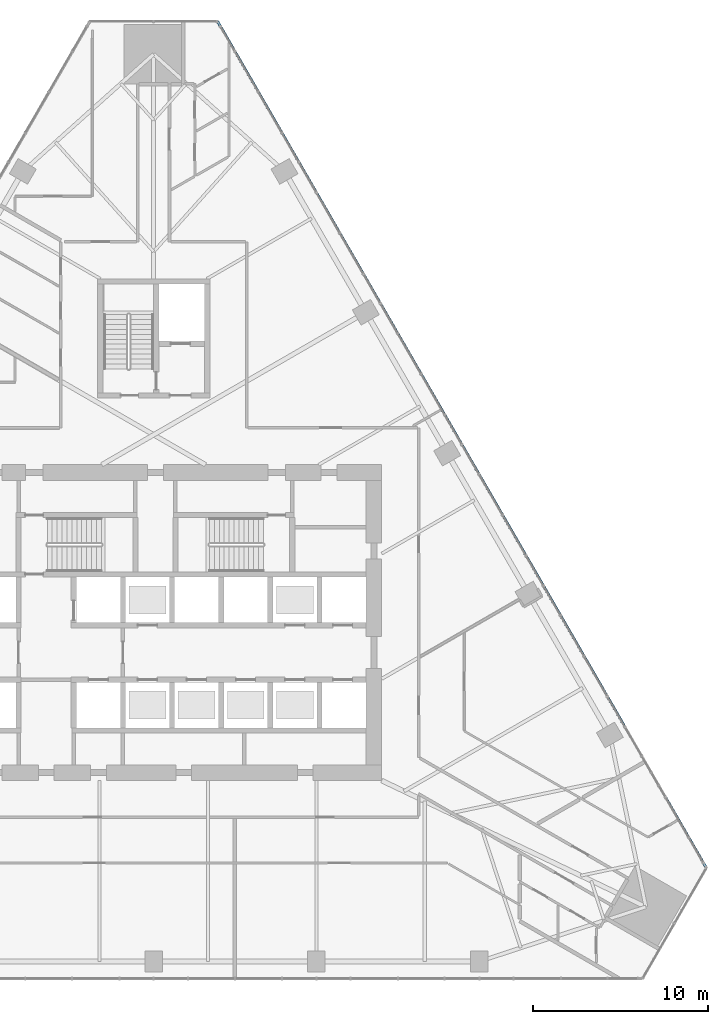
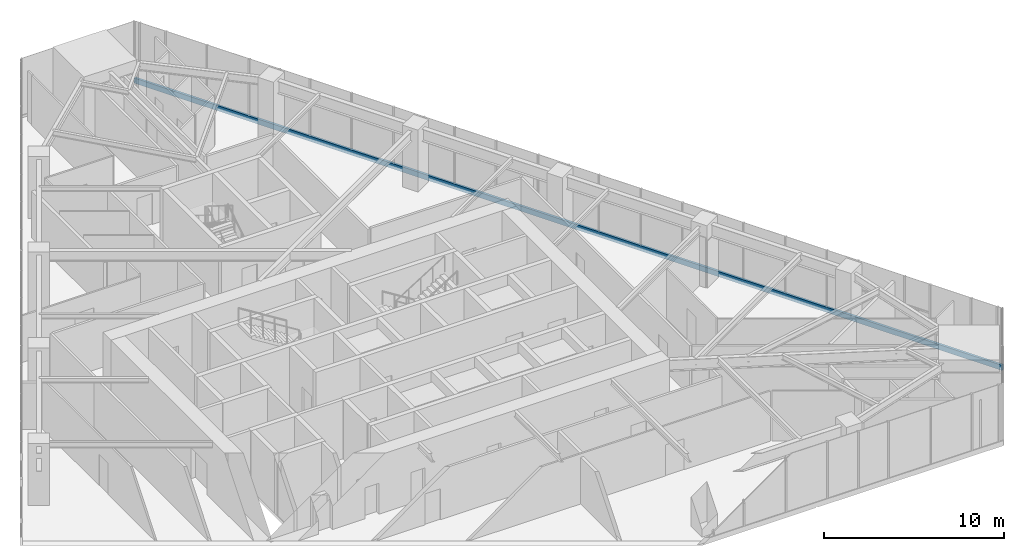
# One storey, part 8 of 22: 1 member, 1 element without a shape of its own.
"""IFC4 building model written with IfcOpenShell, lengths in metres."""

from ifc_helpers import new_model, si_unit, direction, frame, origin, origin_2d, place, context, subcontext, project, spatial, rectangle, extrude, material, layer, layer_set, material_profile, profile_set, type_object, element, aggregate, save


model = new_model("IFC4")

# Units and contexts
model_context = context("Model", 3, precision=1e-05, world=origin(), true_north=direction((0.0, 1.0)))
body_context = subcontext(model_context, "Body", "Model", "MODEL_VIEW")
ifc_project = project(units=[si_unit("LENGTHUNIT", "METRE"), si_unit("AREAUNIT", "SQUARE_METRE"), si_unit("VOLUMEUNIT", "CUBIC_METRE"), si_unit("PLANEANGLEUNIT", "RADIAN"), si_unit("MASSUNIT", "GRAM", prefix="KILO")], contexts=[model_context])

# Site, building, storey
site_placement = place(None, origin())
site = spatial("IfcSite", under=ifc_project, at=site_placement, CompositionType="ELEMENT")
building_placement = place(site_placement, origin())
building = spatial("IfcBuilding", under=site, at=building_placement, Name="Firuza Gate Tower and Library", CompositionType="ELEMENT")
storey_placement = place(building_placement, frame((0.0, 0.0, 128.199951171875)))
storey = spatial("IfcBuildingStorey", under=building, at=storey_placement, Name="L29", CompositionType="ELEMENT", Elevation=128.199951171875)

# Curtain wall, member
ifc_material_1 = material(Name="Aluminium 6063-T6", Category="aluminium")
ifc_layer = layer(ifc_material_1, 0.14990234375)
ifc_layer_set = layer_set([ifc_layer], Name="Unitised curtain wall, offices")
curtain_wall_type = type_object("IfcCurtainWallType", Name="Unitised curtain wall, offices", PredefinedType="NOTDEFINED", material=ifc_layer_set)
curtain_wall_placement = place(storey_placement, origin())
curtain_wall = element("IfcCurtainWall", 1, at=curtain_wall_placement, inside=storey, type_object=curtain_wall_type, Name="CW1 L29 E face", PredefinedType="NOTDEFINED")
ifc_material_2 = material(Name="Aluminium 6063-T6", Category="aluminium")
ifc_material_profile = material_profile(ifc_material_2, rectangle(XDim=0.14990234375, YDim=0.35009765625, at=origin_2d()))
ifc_profile_set = profile_set([ifc_material_profile], Name="Aluminium 6063-T6")
member_type = type_object("IfcMemberType", Name="Curtain wall transom 350x150", PredefinedType="USERDEFINED", material=ifc_profile_set)
member_placement = place(storey_placement, frame((106.50341796875, 61.018310546875, -0.02490234375), z_axis=(-0.499998060823, 0.866026523366, 0.0), x_axis=(-0.866026523366, -0.499998060823, 0.0)))
member = element("IfcMember", 2, at=member_placement, type_object=member_type, Name="Transom", ObjectType="TRANSOM", PredefinedType="USERDEFINED", context=body_context, shape_type="SweptSolid", body=[
    extrude(rectangle(XDim=0.14990234375, YDim=0.35009765625, at=origin_2d()), origin(), (0.0, 0.0, 1.0), 55.720458984375),
])
aggregate(curtain_wall, [member])

save(model, "model.ifc")
